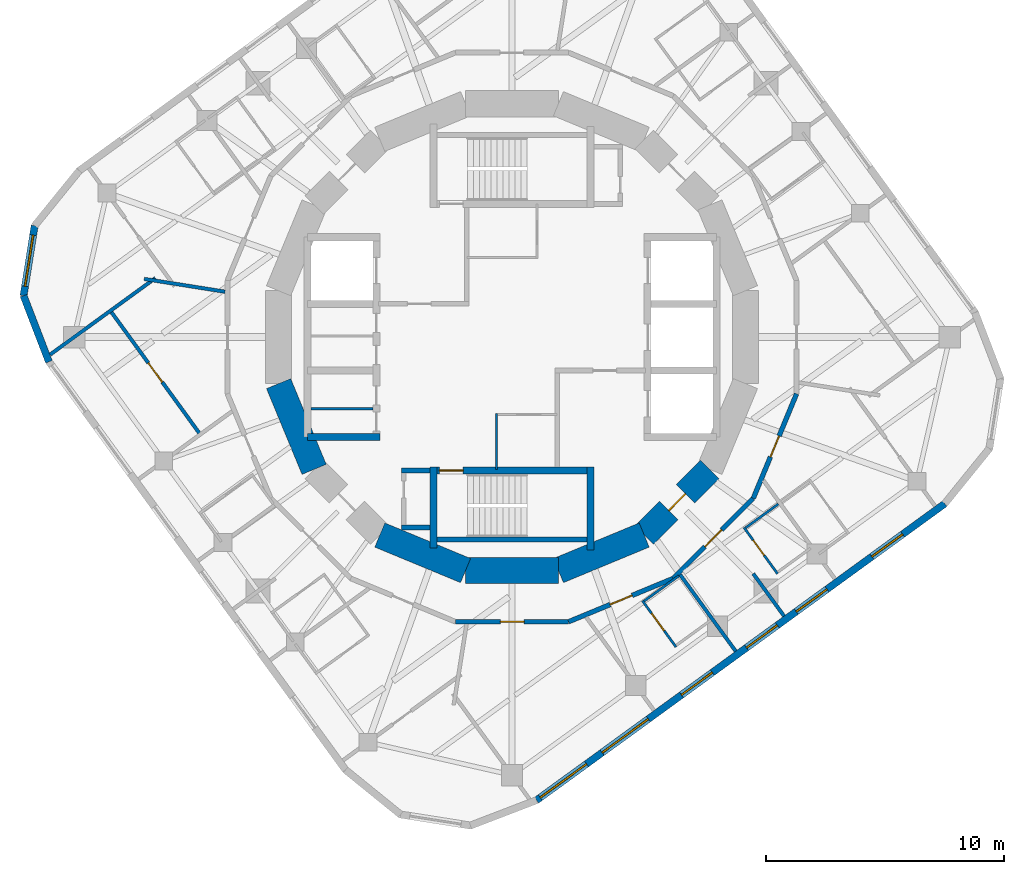
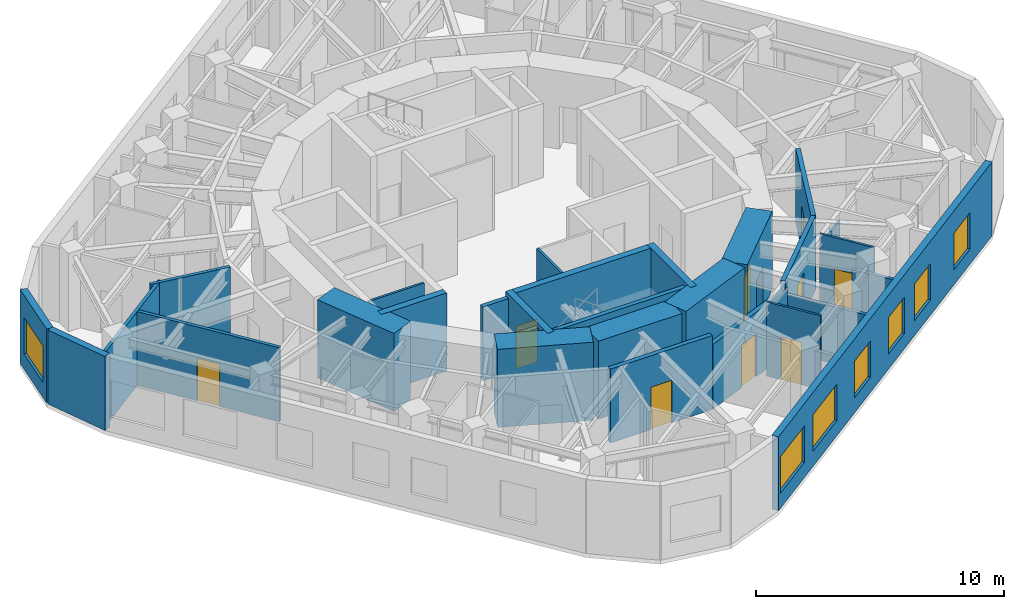
# One storey, part 4 of 9: 30 walls, 9 doors, 7 windows, 16 openings.
"""IFC4 building model written with IfcOpenShell, lengths in metres."""

from ifc_helpers import new_model, si_unit, direction, frame, frame_2d, origin, place, context, subcontext, project, spatial, rectangle, extrude, material, layer, layer_set, type_object, element, fill, save


model = new_model("IFC4")

# Units and contexts
model_context = context("Model", 3, precision=1e-05, world=origin(), true_north=direction((0.0, 1.0)))
body_context = subcontext(model_context, "Body", "Model", "MODEL_VIEW")
ifc_project = project(units=[si_unit("LENGTHUNIT", "METRE"), si_unit("AREAUNIT", "SQUARE_METRE"), si_unit("VOLUMEUNIT", "CUBIC_METRE"), si_unit("PLANEANGLEUNIT", "RADIAN"), si_unit("MASSUNIT", "GRAM", prefix="KILO")], contexts=[model_context])

# Site, building, storey
site_placement = place(None, origin())
site = spatial("IfcSite", under=ifc_project, at=site_placement, CompositionType="ELEMENT")
building_placement = place(site_placement, origin())
building = spatial("IfcBuilding", under=site, at=building_placement, Name="Nakasero Lantern House", CompositionType="ELEMENT")
storey_placement = place(building_placement, frame((0.0, 0.0, 286.85009765625)))
storey = spatial("IfcBuildingStorey", under=building, at=storey_placement, Name="L70", CompositionType="ELEMENT", Elevation=286.85009765625)

# Wall
ifc_material_1 = material(Name="Concrete C50/60", Category="concrete")
ifc_layer_1 = layer(ifc_material_1, 0.300048828125)
ifc_layer_set_1 = layer_set([ifc_layer_1], Name="Core inner wall 300")
wall_type_1 = type_object("IfcWallType", Name="Core inner wall 300", PredefinedType="SHEAR", material=ifc_layer_set_1)
wall_1_placement = place(storey_placement, frame((-8.60009765625, -4.199951171875, 0.0), z_axis=(0.0, 0.0, 1.0), x_axis=(1.0, 0.0, 0.0)))
element("IfcWall", 1, at=wall_1_placement, inside=storey, type_object=wall_type_1, Name="Core inner wall L70 LWS", PredefinedType="SHEAR", context=body_context, shape_type="SweptSolid", body=[
    extrude(rectangle(XDim=3.050048828125, YDim=0.300048828125, at=frame_2d((1.52490234375, 0.0))), origin(), (0.0, 0.0, 1.0), 3.849853515625),
])

# Wall, opening, door
wall_2_placement = place(storey_placement, frame((-3.449951171875, -5.60009765625, 0.0), z_axis=(0.0, 0.0, 1.0), x_axis=(1.0, 0.0, 0.0)))
wall_2 = element("IfcWall", 2, at=wall_2_placement, inside=storey, type_object=wall_type_1, Name="Core inner wall L70 SS", PredefinedType="SHEAR", context=body_context, shape_type="SweptSolid", body=[
    extrude(rectangle(XDim=6.89990234375, YDim=0.300048828125, at=frame_2d((3.449951171875, 0.0))), origin(), (0.0, 0.0, 1.0), 3.849853515625),
])
opening_1_placement = place(wall_2_placement, frame((0.39990234375, 0.0, 0.0)))
opening_1 = element("IfcOpeningElement", 3, at=opening_1_placement, cuts=wall_2, Name="Opening D05", PredefinedType="OPENING", context=body_context, shape_type="SweptSolid", body=[
    extrude(rectangle(XDim=1.0, YDim=2.10009765625, at=frame_2d((0.5, 1.050048828125))), frame((0.0, 0.169921875, 0.0), z_axis=(0.0, -1.0, 0.0), x_axis=(1.0, 0.0, 0.0)), (0.0, 0.0, 1.0), 0.340087890625),
])
ifc_material_2 = material(Name="Timber C24", Category="wood")
door_type_1 = type_object("IfcDoorType", Name="Core door FD60S 1000", OperationType="SINGLE_SWING_LEFT", PredefinedType="DOOR", material=ifc_material_2)
door_1_placement = place(opening_1_placement, origin())
door_1 = element("IfcDoor", 4, at=door_1_placement, inside=storey, type_object=door_type_1, Name="Door L70 D-ST2", OperationType="SINGLE_SWING_LEFT", OverallHeight=2.10009765625, OverallWidth=1.0, PredefinedType="DOOR", context=body_context, shape_type="SweptSolid", body=[
    extrude(rectangle(XDim=1.0, YDim=2.10009765625, at=frame_2d((0.5, 1.050048828125))), frame((0.0, 0.02490234375, 0.0), z_axis=(0.0, -1.0, 0.0), x_axis=(1.0, 0.0, 0.0)), (0.0, 0.0, 1.0), 0.050048828125),
])
fill(opening_1, door_1)

# Walls
wall_3_placement = place(storey_placement, frame((-3.300048828125, -5.449951171875, 0.0), z_axis=(0.0, 0.0, 1.0), x_axis=(0.0, -1.0, 0.0)))
element("IfcWall", 5, at=wall_3_placement, inside=storey, type_object=wall_type_1, Name="Core inner wall L70 SSW", PredefinedType="SHEAR", context=body_context, shape_type="SweptSolid", body=[
    extrude(rectangle(XDim=3.400146484375, YDim=0.300048828125, at=frame_2d((1.7001953125, 0.0))), origin(), (0.0, 0.0, 1.0), 3.849853515625),
])
wall_4_placement = place(storey_placement, frame((3.300048828125, -5.449951171875, 0.0), z_axis=(0.0, 0.0, 1.0), x_axis=(0.0, -1.0, 0.0)))
element("IfcWall", 6, at=wall_4_placement, inside=storey, type_object=wall_type_1, Name="Core inner wall L70 SSE", PredefinedType="SHEAR", context=body_context, shape_type="SweptSolid", body=[
    extrude(rectangle(XDim=3.5, YDim=0.300048828125, at=frame_2d((1.75, 0.0))), origin(), (0.0, 0.0, 1.0), 3.849853515625),
])
ifc_material_3 = material(Name="Blockwork", Category="masonry")
ifc_layer_2 = layer(ifc_material_3, 0.10009765625)
ifc_layer_set_2 = layer_set([ifc_layer_2], Name="Core room wall 100")
wall_type_2 = type_object("IfcWallType", Name="Core room wall 100", PredefinedType="PARTITIONING", material=ifc_layer_set_2)
wall_5_placement = place(storey_placement, frame((-0.64990234375, -5.550048828125, 0.0), z_axis=(0.0, 0.0, 1.0), x_axis=(0.0, 1.0, 0.0)))
element("IfcWall", 7, at=wall_5_placement, inside=storey, type_object=wall_type_2, Name="Core room wall L70 CR-SWW", PredefinedType="PARTITIONING", context=body_context, shape_type="SweptSolid", body=[
    extrude(rectangle(XDim=2.35009765625, YDim=0.10009765625, at=frame_2d((1.175048828125, 0.0))), origin(), (0.0, 0.0, 1.0), 3.64990234375),
])
wall_6_placement = place(storey_placement, frame((-8.449951171875, -3.0, 0.0), z_axis=(0.0, 0.0, 1.0), x_axis=(1.0, 0.0, 0.0)))
element("IfcWall", 8, at=wall_6_placement, inside=storey, type_object=wall_type_2, Name="Core room wall L70 CR-SH-LW1b", PredefinedType="PARTITIONING", context=body_context, shape_type="SweptSolid", body=[
    extrude(rectangle(XDim=2.599853515625, YDim=0.10009765625, at=frame_2d((1.2998046875, 0.0))), origin(), (0.0, 0.0, 1.0), 3.64990234375),
])
ifc_material_4 = material(Name="Concrete C50/60", Category="concrete")
ifc_layer_3 = layer(ifc_material_4, 1.10009765625)
ifc_layer_set_3 = layer_set([ifc_layer_3], Name="Core wall 1100")
wall_type_3 = type_object("IfcWallType", Name="Core wall 1100", PredefinedType="SHEAR", material=ifc_layer_set_3)
for number, where, z_axis, x_axis, name in (
    (9, (-9.807861328125, -1.950927734375, 0.0), (0.0, 0.0, 1.0), (0.382690736062, -0.923876507187, 0.0), "Core wall L70 facet 9"),
    (10, (-5.5556640625, -8.314697265625, 0.0), (0.0, 0.0, 1.0), (0.923876507187, -0.382690736062, 0.0), "Core wall L70 facet 11"),
    (11, (-1.950927734375, -9.807861328125, 0.0), (0.0, 0.0, 1.0), (1.0, 0.0, 0.0), "Core wall L70 facet 12"),
    (12, (1.950927734375, -9.807861328125, 0.0), (0.0, 0.0, 1.0), (0.923876507187, 0.382690736062, 0.0), "Core wall L70 facet 13"),
):
    element("IfcWall", number, at=place(storey_placement, frame(where, z_axis=z_axis, x_axis=x_axis)), inside=storey, type_object=wall_type_3, Name=name, PredefinedType="SHEAR", context=body_context, shape_type="SweptSolid", body=[
        extrude(rectangle(XDim=3.90185546875, YDim=1.10009765625, at=frame_2d((1.950927734375, 0.0))), origin(), (0.0, 0.0, 1.0), 3.849853515625),
    ])

# Wall, opening, door
wall_7_placement = place(storey_placement, frame((5.5556640625, -8.314697265625, 0.0), z_axis=(0.0, 0.0, 1.0), x_axis=(0.707106781187, 0.707106781187, 0.0)))
wall_7 = element("IfcWall", 13, at=wall_7_placement, inside=storey, type_object=wall_type_3, Name="Core wall L70 facet 14", PredefinedType="SHEAR", context=body_context, shape_type="SweptSolid", body=[
    extrude(rectangle(XDim=3.90185546875, YDim=1.10009765625, at=frame_2d((1.950927734375, 0.0))), origin(), (0.0, 0.0, 1.0), 3.849853515625),
])
opening_2_placement = place(wall_7_placement, frame((1.450927734375, 0.0, 0.0)))
opening_2 = element("IfcOpeningElement", 14, at=opening_2_placement, cuts=wall_7, Name="Opening D05", PredefinedType="OPENING", context=body_context, shape_type="SweptSolid", body=[
    extrude(rectangle(XDim=1.0, YDim=2.10009765625, at=frame_2d((0.5, 1.050048828125))), frame((0.0, 0.570068359375, 0.0), z_axis=(0.0, -1.0, 0.0), x_axis=(1.0, 0.0, 0.0)), (0.0, 0.0, 1.0), 1.14013671875),
])
door_2_placement = place(opening_2_placement, origin())
door_2 = element("IfcDoor", 15, at=door_2_placement, inside=storey, type_object=door_type_1, Name="Door L70 D-CORE14", OperationType="SINGLE_SWING_LEFT", OverallHeight=2.10009765625, OverallWidth=1.0, PredefinedType="DOOR", context=body_context, shape_type="SweptSolid", body=[
    extrude(rectangle(XDim=1.0, YDim=2.10009765625, at=frame_2d((0.5, 1.050048828125))), frame((0.0, 0.02490234375, 0.0), z_axis=(0.0, -1.0, 0.0), x_axis=(1.0, 0.0, 0.0)), (0.0, 0.0, 1.0), 0.050048828125),
])
fill(opening_2, door_2)

ifc_material_5 = material(Name="Blockwork", Category="masonry")
ifc_layer_4 = layer(ifc_material_5, 0.199951171875)
ifc_layer_set_4 = layer_set([ifc_layer_4], Name="Corridor wall 200")
wall_type_4 = type_object("IfcWallType", Name="Corridor wall 200", PredefinedType="PARTITIONING", material=ifc_layer_set_4)
wall_8_placement = place(storey_placement, frame((11.957763671875, -2.378662109375, 0.0), z_axis=(0.0, 0.0, 1.0), x_axis=(-0.382653970627, -0.923891735412, 0.0)))
wall_8 = element("IfcWall", 16, at=wall_8_placement, inside=storey, type_object=wall_type_4, Name="Corridor wall L70 RC01a", PredefinedType="PARTITIONING", context=body_context, shape_type="SweptSolid", body=[
    extrude(rectangle(XDim=4.757080078125, YDim=0.199951171875, at=frame_2d((2.37841796875, 0.0))), origin(), (0.0, 0.0, 1.0), 3.64990234375),
])
opening_3_placement = place(wall_8_placement, frame((1.919921875, 0.0, 0.0)))
opening_3 = element("IfcOpeningElement", 17, at=opening_3_placement, cuts=wall_8, Name="Opening D01", PredefinedType="OPENING", context=body_context, shape_type="SweptSolid", body=[
    extrude(rectangle(XDim=0.949951171875, YDim=2.10009765625, at=frame_2d((0.47509765625, 1.050048828125))), frame((0.0, 0.119873046875, 0.0), z_axis=(0.0, -1.0, 0.0), x_axis=(1.0, 0.0, 0.0)), (0.0, 0.0, 1.0), 0.239990234375),
])
ifc_material_6 = material(Name="Timber C24", Category="wood")
door_type_2 = type_object("IfcDoorType", Name="Bedroom door FD30S 950", OperationType="SINGLE_SWING_LEFT", PredefinedType="DOOR", material=ifc_material_6)
door_3_placement = place(opening_3_placement, origin())
door_3 = element("IfcDoor", 18, at=door_3_placement, inside=storey, type_object=door_type_2, Name="Door L70 D3-06", OperationType="SINGLE_SWING_RIGHT", OverallHeight=2.10009765625, OverallWidth=0.949951171875, PredefinedType="DOOR", context=body_context, shape_type="SweptSolid", body=[
    extrude(rectangle(XDim=0.949951171875, YDim=2.10009765625, at=frame_2d((0.47509765625, 1.050048828125))), frame((0.0, 0.02490234375, 0.0), z_axis=(0.0, -1.0, 0.0), x_axis=(1.0, 0.0, 0.0)), (0.0, 0.0, 1.0), 0.050048828125),
])
fill(opening_3, door_3)

wall_9_placement = place(storey_placement, frame((10.137451171875, -6.773681640625, 0.0), z_axis=(0.0, 0.0, 1.0), x_axis=(-0.707106781187, -0.707106781187, 0.0)))
wall_9 = element("IfcWall", 19, at=wall_9_placement, inside=storey, type_object=wall_type_4, Name="Corridor wall L70 RC02a", PredefinedType="PARTITIONING", context=body_context, shape_type="SweptSolid", body=[
    extrude(rectangle(XDim=4.757080078125, YDim=0.199951171875, at=frame_2d((2.37841796875, 0.0))), origin(), (0.0, 0.0, 1.0), 3.64990234375),
])
opening_4_placement = place(wall_9_placement, frame((1.8701171875, 0.0, 0.0)))
opening_4 = element("IfcOpeningElement", 20, at=opening_4_placement, cuts=wall_9, Name="Opening D07", PredefinedType="OPENING", context=body_context, shape_type="SweptSolid", body=[
    extrude(rectangle(XDim=1.0, YDim=2.10009765625, at=frame_2d((0.5, 1.050048828125))), frame((0.0, 0.119873046875, 0.0), z_axis=(0.0, -1.0, 0.0), x_axis=(1.0, 0.0, 0.0)), (0.0, 0.0, 1.0), 0.239990234375),
])
ifc_material_7 = material(Name="Timber C24", Category="wood")
door_type_3 = type_object("IfcDoorType", Name="Room door FD30S 1000", OperationType="SINGLE_SWING_LEFT", PredefinedType="DOOR", material=ifc_material_7)
door_4_placement = place(opening_4_placement, origin())
door_4 = element("IfcDoor", 21, at=door_4_placement, inside=storey, type_object=door_type_3, Name="Door L70 D3-04", OperationType="SINGLE_SWING_LEFT", OverallHeight=2.10009765625, OverallWidth=1.0, PredefinedType="DOOR", context=body_context, shape_type="SweptSolid", body=[
    extrude(rectangle(XDim=1.0, YDim=2.10009765625, at=frame_2d((0.5, 1.050048828125))), frame((0.0, 0.02490234375, 0.0), z_axis=(0.0, -1.0, 0.0), x_axis=(1.0, 0.0, 0.0)), (0.0, 0.0, 1.0), 0.050048828125),
])
fill(opening_4, door_4)

wall_10_placement = place(storey_placement, frame((6.773681640625, -10.137451171875, 0.0), z_axis=(0.0, 0.0, 1.0), x_axis=(-0.923891735412, -0.382653970627, 0.0)))
wall_10 = element("IfcWall", 22, at=wall_10_placement, inside=storey, type_object=wall_type_4, Name="Corridor wall L70 RC03a", PredefinedType="PARTITIONING", context=body_context, shape_type="SweptSolid", body=[
    extrude(rectangle(XDim=4.757080078125, YDim=0.199951171875, at=frame_2d((2.37841796875, 0.0))), origin(), (0.0, 0.0, 1.0), 3.18994140625),
])
opening_5_placement = place(wall_10_placement, frame((1.8701171875, 0.0, 0.0)))
opening_5 = element("IfcOpeningElement", 23, at=opening_5_placement, cuts=wall_10, Name="Opening D07", PredefinedType="OPENING", context=body_context, shape_type="SweptSolid", body=[
    extrude(rectangle(XDim=1.0, YDim=2.10009765625, at=frame_2d((0.5, 1.050048828125))), frame((0.0, 0.119873046875, 0.0), z_axis=(0.0, -1.0, 0.0), x_axis=(1.0, 0.0, 0.0)), (0.0, 0.0, 1.0), 0.239990234375),
])
door_5_placement = place(opening_5_placement, origin())
door_5 = element("IfcDoor", 24, at=door_5_placement, inside=storey, type_object=door_type_3, Name="Door L70 D3-03", OperationType="SINGLE_SWING_LEFT", OverallHeight=2.10009765625, OverallWidth=1.0, PredefinedType="DOOR", context=body_context, shape_type="SweptSolid", body=[
    extrude(rectangle(XDim=1.0, YDim=2.10009765625, at=frame_2d((0.5, 1.050048828125))), frame((0.0, 0.02490234375, 0.0), z_axis=(0.0, -1.0, 0.0), x_axis=(1.0, 0.0, 0.0)), (0.0, 0.0, 1.0), 0.050048828125),
])
fill(opening_5, door_5)

wall_11_placement = place(storey_placement, frame((2.378662109375, -11.957763671875, 0.0), z_axis=(0.0, 0.0, 1.0), x_axis=(-1.0, 0.0, 0.0)))
wall_11 = element("IfcWall", 25, at=wall_11_placement, inside=storey, type_object=wall_type_4, Name="Corridor wall L70 RC04a", PredefinedType="PARTITIONING", context=body_context, shape_type="SweptSolid", body=[
    extrude(rectangle(XDim=4.75732421875, YDim=0.199951171875, at=frame_2d((2.378662109375, 0.0))), origin(), (0.0, 0.0, 1.0), 3.64990234375),
])
opening_6_placement = place(wall_11_placement, frame((1.8701171875, 0.0, 0.0)))
opening_6 = element("IfcOpeningElement", 26, at=opening_6_placement, cuts=wall_11, Name="Opening D03", PredefinedType="OPENING", context=body_context, shape_type="SweptSolid", body=[
    extrude(rectangle(XDim=1.0, YDim=2.10009765625, at=frame_2d((0.5, 1.050048828125))), frame((0.0, 0.119873046875, 0.0), z_axis=(0.0, -1.0, 0.0), x_axis=(1.0, 0.0, 0.0)), (0.0, 0.0, 1.0), 0.239990234375),
])
ifc_material_8 = material(Name="Timber C24", Category="wood")
door_type_4 = type_object("IfcDoorType", Name="Lounge door FD30S 1000", OperationType="SINGLE_SWING_LEFT", PredefinedType="DOOR", material=ifc_material_8)
door_6_placement = place(opening_6_placement, origin())
door_6 = element("IfcDoor", 27, at=door_6_placement, inside=storey, type_object=door_type_4, Name="Door L70 DK3", OperationType="SINGLE_SWING_LEFT", OverallHeight=2.10009765625, OverallWidth=1.0, PredefinedType="DOOR", context=body_context, shape_type="SweptSolid", body=[
    extrude(rectangle(XDim=1.0, YDim=2.10009765625, at=frame_2d((0.5, 1.050048828125))), frame((0.0, 0.02490234375, 0.0), z_axis=(0.0, -1.0, 0.0), x_axis=(1.0, 0.0, 0.0)), (0.0, 0.0, 1.0), 0.050048828125),
])
fill(opening_6, door_6)

ifc_material_9 = material(Name="Blockwork", Category="masonry")
ifc_layer_5 = layer(ifc_material_9, 0.10009765625)
ifc_layer_set_5 = layer_set([ifc_layer_5], Name="En-suite wall 100")
wall_type_5 = type_object("IfcWallType", Name="En-suite wall 100", PredefinedType="PARTITIONING", material=ifc_layer_set_5)
wall_12_placement = place(storey_placement, frame((5.48193359375, -11.078125, 0.0), z_axis=(0.0, 0.0, 1.0), x_axis=(0.587772420479, -0.809026317077, 0.0)))
wall_12 = element("IfcWall", 28, at=wall_12_placement, inside=storey, type_object=wall_type_5, Name="En-suite wall L70 ES3-03", PredefinedType="PARTITIONING", context=body_context, shape_type="SweptSolid", body=[
    extrude(rectangle(XDim=2.39990234375, YDim=0.10009765625, at=frame_2d((1.199951171875, 0.0))), origin(), (0.0, 0.0, 1.0), 3.64990234375),
])
opening_7_placement = place(wall_12_placement, frame((0.64990234375, 0.0, 0.0)))
opening_7 = element("IfcOpeningElement", 29, at=opening_7_placement, cuts=wall_12, Name="Opening D16", PredefinedType="OPENING", context=body_context, shape_type="SweptSolid", body=[
    extrude(rectangle(XDim=0.89990234375, YDim=2.10009765625, at=frame_2d((0.449951171875, 1.050048828125))), frame((0.0, 0.070068359375, 0.0), z_axis=(0.0, -1.0, 0.0), x_axis=(1.0, 0.0, 0.0)), (0.0, 0.0, 1.0), 0.14013671875),
])
ifc_material_10 = material(Name="Timber C24", Category="wood")
door_type_5 = type_object("IfcDoorType", Name="Accessible WC door 900", OperationType="SINGLE_SWING_RIGHT", PredefinedType="DOOR", material=ifc_material_10)
door_7_placement = place(opening_7_placement, origin())
door_7 = element("IfcDoor", 30, at=door_7_placement, inside=storey, type_object=door_type_5, Name="Door L70 DE3-03", OperationType="SINGLE_SWING_LEFT", OverallHeight=2.10009765625, OverallWidth=0.89990234375, PredefinedType="DOOR", context=body_context, shape_type="SweptSolid", body=[
    extrude(rectangle(XDim=0.89990234375, YDim=2.10009765625, at=frame_2d((0.449951171875, 1.050048828125))), frame((0.0, 0.02490234375, 0.0), z_axis=(0.0, -1.0, 0.0), x_axis=(1.0, 0.0, 0.0)), (0.0, 0.0, 1.0), 0.050048828125),
])
fill(opening_7, door_7)

# Wall
wall_13_placement = place(storey_placement, frame((5.5517578125, -11.089111328125, 0.0), z_axis=(0.0, 0.0, 1.0), x_axis=(0.809070278701, 0.587711905718, 0.0)))
element("IfcWall", 31, at=wall_13_placement, inside=storey, type_object=wall_type_5, Name="En-suite wall L70 EI3-03", PredefinedType="PARTITIONING", context=body_context, shape_type="SweptSolid", body=[
    extrude(rectangle(XDim=1.800048828125, YDim=0.10009765625, at=frame_2d((0.89990234375, 0.0))), origin(), (0.0, 0.0, 1.0), 3.18994140625),
])

# Wall, opening, door
wall_14_placement = place(storey_placement, frame((9.747314453125, -7.998291015625, 0.0), z_axis=(0.0, 0.0, 1.0), x_axis=(0.587772420479, -0.809026317077, 0.0)))
wall_14 = element("IfcWall", 32, at=wall_14_placement, inside=storey, type_object=wall_type_5, Name="En-suite wall L70 ES3-04", PredefinedType="PARTITIONING", context=body_context, shape_type="SweptSolid", body=[
    extrude(rectangle(XDim=2.39990234375, YDim=0.10009765625, at=frame_2d((1.199951171875, 0.0))), origin(), (0.0, 0.0, 1.0), 3.64990234375),
])
opening_8_placement = place(wall_14_placement, frame((0.64990234375, 0.0, 0.0)))
opening_8 = element("IfcOpeningElement", 33, at=opening_8_placement, cuts=wall_14, Name="Opening D15", PredefinedType="OPENING", context=body_context, shape_type="SweptSolid", body=[
    extrude(rectangle(XDim=0.800048828125, YDim=2.10009765625, at=frame_2d((0.39990234375, 1.050048828125))), frame((0.0, 0.070068359375, 0.0), z_axis=(0.0, -1.0, 0.0), x_axis=(1.0, 0.0, 0.0)), (0.0, 0.0, 1.0), 0.14013671875),
])
ifc_material_11 = material(Name="Timber C24", Category="wood")
door_type_6 = type_object("IfcDoorType", Name="Cleaner's store door FD30S 800", OperationType="SINGLE_SWING_LEFT", PredefinedType="DOOR", material=ifc_material_11)
door_8_placement = place(opening_8_placement, origin())
door_8 = element("IfcDoor", 34, at=door_8_placement, inside=storey, type_object=door_type_6, Name="Door L70 DE3-04", OperationType="SINGLE_SWING_LEFT", OverallHeight=2.10009765625, OverallWidth=0.800048828125, PredefinedType="DOOR", context=body_context, shape_type="SweptSolid", body=[
    extrude(rectangle(XDim=0.800048828125, YDim=2.10009765625, at=frame_2d((0.39990234375, 1.050048828125))), frame((0.0, 0.02490234375, 0.0), z_axis=(0.0, -1.0, 0.0), x_axis=(1.0, 0.0, 0.0)), (0.0, 0.0, 1.0), 0.050048828125),
])
fill(opening_8, door_8)

# Wall
wall_15_placement = place(storey_placement, frame((9.817138671875, -8.00927734375, 0.0), z_axis=(0.0, 0.0, 1.0), x_axis=(0.808990636343, 0.587821529301, 0.0)))
element("IfcWall", 35, at=wall_15_placement, inside=storey, type_object=wall_type_5, Name="En-suite wall L70 EI3-04", PredefinedType="PARTITIONING", context=body_context, shape_type="SweptSolid", body=[
    extrude(rectangle(XDim=1.699951171875, YDim=0.10009765625, at=frame_2d((0.85009765625, 0.0))), origin(), (0.0, 0.0, 1.0), 3.18994140625),
])

# Wall, opening, window
ifc_material_12 = material(Name="Aluminium rainscreen on blockwork", Category="masonry")
ifc_layer_6 = layer(ifc_material_12, 0.300048828125)
ifc_layer_set_6 = layer_set([ifc_layer_6], Name="Facade wall 300")
wall_type_6 = type_object("IfcWallType", Name="Facade wall 300", PredefinedType="SOLIDWALL", material=ifc_layer_set_6)
wall_16_placement = place(storey_placement, frame((-20.05908203125, 4.683837890625, 0.0), z_axis=(0.0, 0.0, 1.0), x_axis=(-0.156413227021, -0.987691704133, 0.0)))
wall_16 = element("IfcWall", 36, at=wall_16_placement, inside=storey, type_object=wall_type_6, Name="Facade wall L70 FW1C2", PredefinedType="SOLIDWALL", context=body_context, shape_type="SweptSolid", body=[
    extrude(rectangle(XDim=2.9765625, YDim=0.300048828125, at=frame_2d((1.48828125, 0.0))), origin(), (0.0, 0.0, 1.0), 3.64990234375),
])
opening_9_placement = place(wall_16_placement, frame((0.39990234375, 0.0, 0.75)))
opening_9 = element("IfcOpeningElement", 37, at=opening_9_placement, cuts=wall_16, Name="Opening W221", PredefinedType="OPENING", context=body_context, shape_type="SweptSolid", body=[
    extrude(rectangle(XDim=2.176025390625, YDim=1.800048828125, at=frame_2d((1.087890625, 0.89990234375))), frame((0.0, 0.169921875, 0.0), z_axis=(0.0, -1.0, 0.0), x_axis=(1.0, 0.0, 0.0)), (0.0, 0.0, 1.0), 0.340087890625),
])
ifc_material_13 = material(Name="Aluminium 6063-T6 and glass", Category="aluminium")
window_type_1 = type_object("IfcWindowType", Name="Corner window 2176x1800", PartitioningType="SINGLE_PANEL", PredefinedType="WINDOW", material=ifc_material_13)
window_1_placement = place(opening_9_placement, origin())
window_1 = element("IfcWindow", 38, at=window_1_placement, inside=storey, type_object=window_type_1, Name="Window L70 WC1", OverallHeight=1.800048828125, OverallWidth=2.176025390625, PartitioningType="SINGLE_PANEL", PredefinedType="WINDOW", context=body_context, shape_type="SweptSolid", body=[
    extrude(rectangle(XDim=2.176025390625, YDim=1.800048828125, at=frame_2d((1.087890625, 0.89990234375))), frame((0.0, 0.030029296875, 0.0), z_axis=(0.0, -1.0, 0.0), x_axis=(1.0, 0.0, 0.0)), (0.0, 0.0, 1.0), 0.06005859375),
])
fill(opening_9, window_1)

# Wall
wall_17_placement = place(storey_placement, frame((-20.524658203125, 1.743896484375, 0.0), z_axis=(0.0, 0.0, 1.0), x_axis=(0.35838535244, -0.933573745966, 0.0)))
element("IfcWall", 39, at=wall_17_placement, inside=storey, type_object=wall_type_6, Name="Facade wall L70 FW1C3", PredefinedType="SOLIDWALL", context=body_context, shape_type="SweptSolid", body=[
    extrude(rectangle(XDim=2.976318359375, YDim=0.300048828125, at=frame_2d((1.48828125, 0.0))), origin(), (0.0, 0.0, 1.0), 3.64990234375),
])

# Wall, openings, windows
wall_18_placement = place(storey_placement, frame((1.03466796875, -19.4580078125, 0.0), z_axis=(0.0, 0.0, 1.0), x_axis=(0.809013375328, 0.587790233451, 0.0)))
wall_18 = element("IfcWall", 40, at=wall_18_placement, inside=storey, type_object=wall_type_6, Name="Facade wall L70 FW3S", PredefinedType="SOLIDWALL", context=body_context, shape_type="SweptSolid", body=[
    extrude(rectangle(XDim=21.199951171875, YDim=0.300048828125, at=frame_2d((10.60009765625, 0.0))), origin(), (0.0, 0.0, 1.0), 3.64990234375),
])
opening_10_placement = place(wall_18_placement, frame((7.52783203125, 0.0, 0.75)))
opening_10 = element("IfcOpeningElement", 41, at=opening_10_placement, cuts=wall_18, Name="Opening W01", PredefinedType="OPENING", context=body_context, shape_type="SweptSolid", body=[
    extrude(rectangle(XDim=1.60009765625, YDim=1.800048828125, at=frame_2d((0.800048828125, 0.89990234375))), frame((0.0, 0.169921875, 0.0), z_axis=(0.0, -1.0, 0.0), x_axis=(1.0, 0.0, 0.0)), (0.0, 0.0, 1.0), 0.340087890625),
])
opening_11_placement = place(wall_18_placement, frame((10.904052734375, 0.0, 0.75)))
opening_11 = element("IfcOpeningElement", 42, at=opening_11_placement, cuts=wall_18, Name="Opening W01", PredefinedType="OPENING", context=body_context, shape_type="SweptSolid", body=[
    extrude(rectangle(XDim=1.60009765625, YDim=1.800048828125, at=frame_2d((0.800048828125, 0.89990234375))), frame((0.0, 0.169921875, 0.0), z_axis=(0.0, -1.0, 0.0), x_axis=(1.0, 0.0, 0.0)), (0.0, 0.0, 1.0), 0.340087890625),
])
opening_12_placement = place(wall_18_placement, frame((13.484619140625, 0.0, 0.75)))
opening_12 = element("IfcOpeningElement", 43, at=opening_12_placement, cuts=wall_18, Name="Opening W01", PredefinedType="OPENING", context=body_context, shape_type="SweptSolid", body=[
    extrude(rectangle(XDim=1.60009765625, YDim=1.800048828125, at=frame_2d((0.800048828125, 0.89990234375))), frame((0.0, 0.169921875, 0.0), z_axis=(0.0, -1.0, 0.0), x_axis=(1.0, 0.0, 0.0)), (0.0, 0.0, 1.0), 0.340087890625),
])
opening_13_placement = place(wall_18_placement, frame((17.410888671875, 0.0, 0.75)))
opening_13 = element("IfcOpeningElement", 44, at=opening_13_placement, cuts=wall_18, Name="Opening W01", PredefinedType="OPENING", context=body_context, shape_type="SweptSolid", body=[
    extrude(rectangle(XDim=1.60009765625, YDim=1.800048828125, at=frame_2d((0.800048828125, 0.89990234375))), frame((0.0, 0.169921875, 0.0), z_axis=(0.0, -1.0, 0.0), x_axis=(1.0, 0.0, 0.0)), (0.0, 0.0, 1.0), 0.340087890625),
])
opening_14_placement = place(wall_18_placement, frame((0.1904296875, 0.0, 0.75)))
opening_14 = element("IfcOpeningElement", 45, at=opening_14_placement, cuts=wall_18, Name="Opening W03", PredefinedType="OPENING", context=body_context, shape_type="SweptSolid", body=[
    extrude(rectangle(XDim=2.39990234375, YDim=1.800048828125, at=frame_2d((1.199951171875, 0.89990234375))), frame((0.0, 0.169921875, 0.0), z_axis=(0.0, -1.0, 0.0), x_axis=(1.0, 0.0, 0.0)), (0.0, 0.0, 1.0), 0.340087890625),
])
opening_15_placement = place(wall_18_placement, frame((3.401611328125, 0.0, 0.75)))
opening_15 = element("IfcOpeningElement", 46, at=opening_15_placement, cuts=wall_18, Name="Opening W03", PredefinedType="OPENING", context=body_context, shape_type="SweptSolid", body=[
    extrude(rectangle(XDim=2.39990234375, YDim=1.800048828125, at=frame_2d((1.199951171875, 0.89990234375))), frame((0.0, 0.169921875, 0.0), z_axis=(0.0, -1.0, 0.0), x_axis=(1.0, 0.0, 0.0)), (0.0, 0.0, 1.0), 0.340087890625),
])
ifc_material_14 = material(Name="Aluminium 6063-T6 and glass", Category="aluminium")
window_type_2 = type_object("IfcWindowType", Name="Bedroom window 1600x1800", PartitioningType="SINGLE_PANEL", PredefinedType="WINDOW", material=ifc_material_14)
window_2_placement = place(opening_10_placement, origin())
window_2 = element("IfcWindow", 47, at=window_2_placement, inside=storey, type_object=window_type_2, Name="Window L70 WN3-03", OverallHeight=1.800048828125, OverallWidth=1.60009765625, PartitioningType="SINGLE_PANEL", PredefinedType="WINDOW", context=body_context, shape_type="SweptSolid", body=[
    extrude(rectangle(XDim=1.60009765625, YDim=1.800048828125, at=frame_2d((0.800048828125, 0.89990234375))), frame((0.0, 0.030029296875, 0.0), z_axis=(0.0, -1.0, 0.0), x_axis=(1.0, 0.0, 0.0)), (0.0, 0.0, 1.0), 0.06005859375),
])
fill(opening_10, window_2)
window_3_placement = place(opening_11_placement, origin())
window_3 = element("IfcWindow", 48, at=window_3_placement, inside=storey, type_object=window_type_2, Name="Window L70 WN3-04", OverallHeight=1.800048828125, OverallWidth=1.60009765625, PartitioningType="SINGLE_PANEL", PredefinedType="WINDOW", context=body_context, shape_type="SweptSolid", body=[
    extrude(rectangle(XDim=1.60009765625, YDim=1.800048828125, at=frame_2d((0.800048828125, 0.89990234375))), frame((0.0, 0.030029296875, 0.0), z_axis=(0.0, -1.0, 0.0), x_axis=(1.0, 0.0, 0.0)), (0.0, 0.0, 1.0), 0.06005859375),
])
fill(opening_11, window_3)
window_4_placement = place(opening_12_placement, origin())
window_4 = element("IfcWindow", 49, at=window_4_placement, inside=storey, type_object=window_type_2, Name="Window L70 WN3-05", OverallHeight=1.800048828125, OverallWidth=1.60009765625, PartitioningType="SINGLE_PANEL", PredefinedType="WINDOW", context=body_context, shape_type="SweptSolid", body=[
    extrude(rectangle(XDim=1.60009765625, YDim=1.800048828125, at=frame_2d((0.800048828125, 0.89990234375))), frame((0.0, 0.030029296875, 0.0), z_axis=(0.0, -1.0, 0.0), x_axis=(1.0, 0.0, 0.0)), (0.0, 0.0, 1.0), 0.06005859375),
])
fill(opening_12, window_4)
window_5_placement = place(opening_13_placement, origin())
window_5 = element("IfcWindow", 50, at=window_5_placement, inside=storey, type_object=window_type_2, Name="Window L70 WN3-06", OverallHeight=1.800048828125, OverallWidth=1.60009765625, PartitioningType="SINGLE_PANEL", PredefinedType="WINDOW", context=body_context, shape_type="SweptSolid", body=[
    extrude(rectangle(XDim=1.60009765625, YDim=1.800048828125, at=frame_2d((0.800048828125, 0.89990234375))), frame((0.0, 0.030029296875, 0.0), z_axis=(0.0, -1.0, 0.0), x_axis=(1.0, 0.0, 0.0)), (0.0, 0.0, 1.0), 0.06005859375),
])
fill(opening_13, window_5)
ifc_material_15 = material(Name="Aluminium 6063-T6 and glass", Category="aluminium")
window_type_3 = type_object("IfcWindowType", Name="Lounge window 2400x1800", PartitioningType="SINGLE_PANEL", PredefinedType="WINDOW", material=ifc_material_15)
window_6_placement = place(opening_14_placement, origin())
window_6 = element("IfcWindow", 51, at=window_6_placement, inside=storey, type_object=window_type_3, Name="Window L70 WK3", OverallHeight=1.800048828125, OverallWidth=2.39990234375, PartitioningType="SINGLE_PANEL", PredefinedType="WINDOW", context=body_context, shape_type="SweptSolid", body=[
    extrude(rectangle(XDim=2.39990234375, YDim=1.800048828125, at=frame_2d((1.199951171875, 0.89990234375))), frame((0.0, 0.030029296875, 0.0), z_axis=(0.0, -1.0, 0.0), x_axis=(1.0, 0.0, 0.0)), (0.0, 0.0, 1.0), 0.06005859375),
])
fill(opening_14, window_6)
window_7_placement = place(opening_15_placement, origin())
window_7 = element("IfcWindow", 52, at=window_7_placement, inside=storey, type_object=window_type_3, Name="Window L70 WL3", OverallHeight=1.800048828125, OverallWidth=2.39990234375, PartitioningType="SINGLE_PANEL", PredefinedType="WINDOW", context=body_context, shape_type="SweptSolid", body=[
    extrude(rectangle(XDim=2.39990234375, YDim=1.800048828125, at=frame_2d((1.199951171875, 0.89990234375))), frame((0.0, 0.030029296875, 0.0), z_axis=(0.0, -1.0, 0.0), x_axis=(1.0, 0.0, 0.0)), (0.0, 0.0, 1.0), 0.06005859375),
])
fill(opening_15, window_7)

# Walls
ifc_material_16 = material(Name="Blockwork", Category="masonry")
ifc_layer_7 = layer(ifc_material_16, 0.199951171875)
ifc_layer_set_7 = layer_set([ifc_layer_7], Name="Fire lobby wall 200")
wall_type_7 = type_object("IfcWallType", Name="Fire lobby wall 200", PredefinedType="PARTITIONING", material=ifc_layer_set_7)
for number, where, z_axis, x_axis, name in (
    (53, (-3.449951171875, -8.0, 0.0), (0.0, 0.0, 1.0), (-1.0, 0.0, 0.0), "Fire lobby wall L70 W-RS2S"),
    (54, (-3.449951171875, -5.60009765625, 0.0), (0.0, 0.0, 1.0), (-1.0, 0.0, 0.0), "Fire lobby wall L70 W-RS2N"),
):
    element("IfcWall", number, at=place(storey_placement, frame(where, z_axis=z_axis, x_axis=x_axis)), inside=storey, type_object=wall_type_7, Name=name, PredefinedType="PARTITIONING", context=body_context, shape_type="SweptSolid", body=[
        extrude(rectangle(XDim=1.199951171875, YDim=0.199951171875, at=frame_2d((0.60009765625, 0.0))), origin(), (0.0, 0.0, 1.0), 3.64990234375),
    ])
wall_19_placement = place(storey_placement, frame((-3.300048828125, -8.5, 0.0), z_axis=(0.0, 0.0, 1.0), x_axis=(1.0, 0.0, 0.0)))
element("IfcWall", 55, at=wall_19_placement, inside=storey, type_object=wall_type_7, Name="Fire lobby wall L70 W-STS", PredefinedType="PARTITIONING", context=body_context, shape_type="SweptSolid", body=[
    extrude(rectangle(XDim=6.60009765625, YDim=0.199951171875, at=frame_2d((3.300048828125, 0.0))), origin(), (0.0, 0.0, 1.0), 3.64990234375),
])
ifc_material_17 = material(Name="Blockwork", Category="masonry")
ifc_layer_8 = layer(ifc_material_17, 0.14990234375)
ifc_layer_set_8 = layer_set([ifc_layer_8], Name="Party wall 150")
wall_type_8 = type_object("IfcWallType", Name="Party wall 150", PredefinedType="PARTITIONING", material=ifc_layer_set_8)
wall_20_placement = place(storey_placement, frame((-12.057861328125, 1.90966796875, 0.0), z_axis=(0.0, 0.0, 1.0), x_axis=(-0.987683439553, 0.156465405864, 0.0)))
element("IfcWall", 56, at=wall_20_placement, inside=storey, type_object=wall_type_8, Name="Party wall L70 PD1", PredefinedType="PARTITIONING", context=body_context, shape_type="SweptSolid", body=[
    extrude(rectangle(XDim=3.440673828125, YDim=0.14990234375, at=frame_2d((1.72021484375, 0.0))), origin(), (0.0, 0.0, 1.0), 3.64990234375),
])
wall_21_placement = place(storey_placement, frame((-14.9853515625, 2.48095703125, 0.0), z_axis=(0.0, 0.0, 1.0), x_axis=(-0.809023745549, -0.587775959987, 0.0)))
element("IfcWall", 57, at=wall_21_placement, inside=storey, type_object=wall_type_8, Name="Party wall L70 PW2-01", PredefinedType="PARTITIONING", context=body_context, shape_type="SweptSolid", body=[
    extrude(rectangle(XDim=5.466552734375, YDim=0.14990234375, at=frame_2d((2.7333984375, 0.0))), origin(), (0.0, 0.0, 1.0), 3.64990234375),
])
wall_22_placement = place(storey_placement, frame((10.13818359375, -9.939208984375, 0.0), z_axis=(0.0, 0.0, 1.0), x_axis=(0.587821928992, -0.808990345923, 0.0)))
element("IfcWall", 58, at=wall_22_placement, inside=storey, type_object=wall_type_8, Name="Party wall L70 PN3-05", PredefinedType="PARTITIONING", context=body_context, shape_type="SweptSolid", body=[
    extrude(rectangle(XDim=2.199951171875, YDim=0.14990234375, at=frame_2d((1.10009765625, 0.0))), origin(), (0.0, 0.0, 1.0), 2.95703125),
])
wall_23_placement = place(storey_placement, frame((7.067138671875, -9.985107421875, 0.0), z_axis=(0.0, 0.0, 1.0), x_axis=(0.587802119896, -0.809004739075, 0.0)))
element("IfcWall", 59, at=wall_23_placement, inside=storey, type_object=wall_type_8, Name="Party wall L70 PW3-04", PredefinedType="PARTITIONING", context=body_context, shape_type="SweptSolid", body=[
    extrude(rectangle(XDim=3.9677734375, YDim=0.14990234375, at=frame_2d((1.98388671875, 0.0))), origin(), (0.0, 0.0, 1.0), 2.80908203125),
])

# Wall, opening, door
wall_24_placement = place(storey_placement, frame((-16.8359375, 1.055908203125, 0.0), z_axis=(0.0, 0.0, 1.0), x_axis=(0.587781741398, -0.809019545177, 0.0)))
wall_24 = element("IfcWall", 60, at=wall_24_placement, inside=storey, type_object=wall_type_8, Name="Party wall L70 KQ2", PredefinedType="PARTITIONING", context=body_context, shape_type="SweptSolid", body=[
    extrude(rectangle(XDim=6.292236328125, YDim=0.14990234375, at=frame_2d((3.14599609375, 0.0))), origin(), (0.0, 0.0, 1.0), 3.64990234375),
])
opening_16_placement = place(wall_24_placement, frame((2.646240234375, 0.0, 0.0)))
opening_16 = element("IfcOpeningElement", 61, at=opening_16_placement, cuts=wall_24, Name="Opening D03", PredefinedType="OPENING", context=body_context, shape_type="SweptSolid", body=[
    extrude(rectangle(XDim=1.0, YDim=2.10009765625, at=frame_2d((0.5, 1.050048828125))), frame((0.0, 0.094970703125, 0.0), z_axis=(0.0, -1.0, 0.0), x_axis=(1.0, 0.0, 0.0)), (0.0, 0.0, 1.0), 0.18994140625),
])
door_9_placement = place(opening_16_placement, origin())
door_9 = element("IfcDoor", 62, at=door_9_placement, inside=storey, type_object=door_type_4, Name="Door L70 DKQ2", OperationType="SINGLE_SWING_LEFT", OverallHeight=2.10009765625, OverallWidth=1.0, PredefinedType="DOOR", context=body_context, shape_type="SweptSolid", body=[
    extrude(rectangle(XDim=1.0, YDim=2.10009765625, at=frame_2d((0.5, 1.050048828125))), frame((0.0, 0.02490234375, 0.0), z_axis=(0.0, -1.0, 0.0), x_axis=(1.0, 0.0, 0.0)), (0.0, 0.0, 1.0), 0.050048828125),
])
fill(opening_16, door_9)

save(model, "model.ifc")
